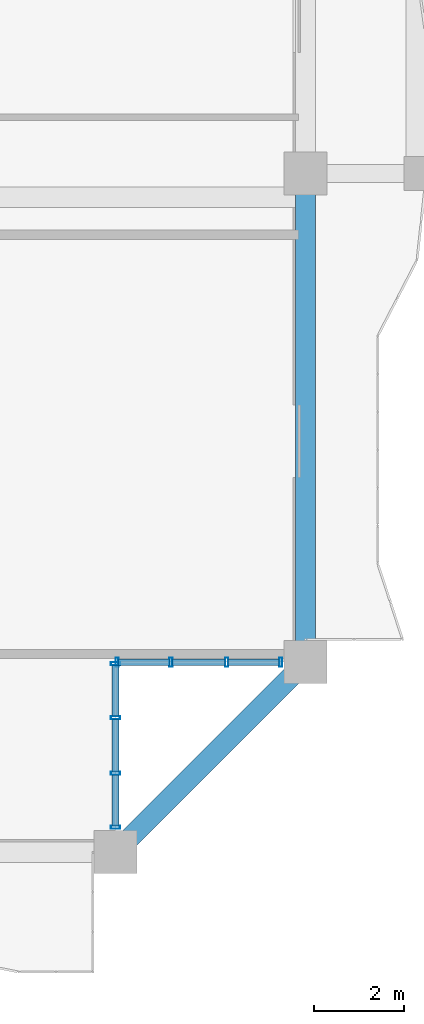
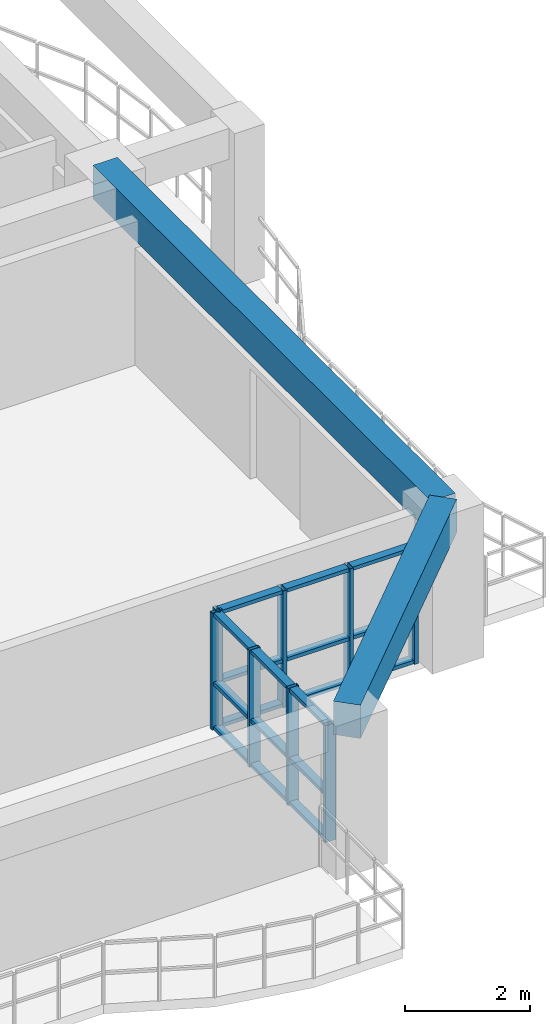
# One storey, part 4 of 24: 26 members, 2 beams, 2 elements without a shape of their own.
"""IFC4 building model written with IfcOpenShell, lengths in metres."""

from ifc_helpers import new_model, si_unit, direction, frame, origin, origin_2d, place, context, subcontext, project, spatial, rectangle, hollow_rectangle, extrude, source, transform, mapped, material, layer, layer_set, material_profile, profile_set, type_object, element, aggregate, save


model = new_model("IFC4")

# Units and contexts
model_context = context("Model", 3, precision=1e-05, world=origin(), true_north=direction((0.0, 1.0)))
body_context = subcontext(model_context, "Body", "Model", "MODEL_VIEW")
ifc_project = project(units=[si_unit("LENGTHUNIT", "METRE"), si_unit("AREAUNIT", "SQUARE_METRE"), si_unit("VOLUMEUNIT", "CUBIC_METRE"), si_unit("PLANEANGLEUNIT", "RADIAN"), si_unit("MASSUNIT", "GRAM", prefix="KILO")], contexts=[model_context])

# Site, building, storey
site_placement = place(None, origin())
site = spatial("IfcSite", under=ifc_project, at=site_placement, CompositionType="ELEMENT")
building_placement = place(site_placement, origin())
building = spatial("IfcBuilding", under=site, at=building_placement, Name="Saelheon Loggia Tower", CompositionType="ELEMENT")
storey_placement = place(building_placement, frame((0.0, 0.0, 126.75)))
storey = spatial("IfcBuildingStorey", under=building, at=storey_placement, Name="L40", CompositionType="ELEMENT", Elevation=126.75)

# Beams
ifc_material_1 = material(Name="Concrete C40/50", Category="concrete")
ifc_material_profile_1 = material_profile(ifc_material_1, rectangle(XDim=0.449951171875, YDim=0.64990234375, at=origin_2d()), Name="RC-450x650")
ifc_profile_set_1 = profile_set([ifc_material_profile_1], Name="Concrete C40/50")
beam_type = type_object("IfcBeamType", Name="Beam_PerimTower_RC450x650", PredefinedType="BEAM", material=ifc_profile_set_1)
shared_shape_1 = source(origin(), body_context, "Body", "SweptSolid", [
    extrude(rectangle(XDim=0.449951171875, YDim=0.64990234375, at=origin_2d()), origin(), (0.0, 0.0, 1.0), 5.939697265625),
])
beam_1_placement = place(storey_placement, frame((59.800048828125, 3.0, 2.675048828125), z_axis=(0.707106781187, 0.707106781187, 0.0), x_axis=(-0.707106781187, 0.707106781187, 0.0)))
element("IfcBeam", 1, at=beam_1_placement, inside=storey, type_object=beam_type, Name="L40 Perimeter Frame Girder 04", PredefinedType="BEAM", context=body_context, shape_type="MappedRepresentation", body=[
    mapped(shared_shape_1, transform((0.0, 0.0, 0.0), scale=1.0)),
])
shared_shape_2 = source(origin(), body_context, "Body", "SweptSolid", [
    extrude(rectangle(XDim=0.449951171875, YDim=0.64990234375, at=origin_2d()), origin(), (0.0, 0.0, 1.0), 10.800048828125),
])
beam_2_placement = place(storey_placement, frame((64.0, 7.199951171875, 2.675048828125), z_axis=(0.0, 1.0, 0.0), x_axis=(-1.0, 0.0, 0.0)))
element("IfcBeam", 2, at=beam_2_placement, inside=storey, type_object=beam_type, Name="L40 Perimeter Frame Girder 05", PredefinedType="BEAM", context=body_context, shape_type="MappedRepresentation", body=[
    mapped(shared_shape_2, transform((0.0, 0.0, 0.0), scale=1.0)),
])

# Curtain wall, members
ifc_material_2 = material(Name="High-Wind Aluminium and Triple Laminated Glass", Category="aluminium")
ifc_layer = layer(ifc_material_2, 0.179931640625)
ifc_layer_set = layer_set([ifc_layer], Name="High-Wind Aluminium and Triple Laminated Glass")
curtain_wall_type = type_object("IfcCurtainWallType", Name="CW_TowerLoggiaHigh", PredefinedType="NOTDEFINED", material=ifc_layer_set)
curtain_wall_1_placement = place(storey_placement, origin())
curtain_wall_1 = element("IfcCurtainWall", 3, at=curtain_wall_1_placement, inside=storey, type_object=curtain_wall_type, Name="L40 Corner Notch Glazing SE1", PredefinedType="NOTDEFINED")
ifc_material_3 = material(Name="Anodised Aluminium 6063-T6", Category="aluminium")
ifc_material_profile_2 = material_profile(ifc_material_3, hollow_rectangle(XDim=0.070068359375, YDim=0.199951171875, WallThickness=0.0048828125, at=origin_2d()), Name="RHS-200x70x5")
ifc_profile_set_2 = profile_set([ifc_material_profile_2], Name="Anodised Aluminium 6063-T6")
member_type_1 = type_object("IfcMemberType", Name="CW_TowerLoggiaHigh_Mullion", PredefinedType="MULLION", material=ifc_profile_set_2)
shared_shape_3 = source(origin(), body_context, "Body", "SweptSolid", [
    extrude(hollow_rectangle(XDim=0.070068359375, YDim=0.199951171875, WallThickness=0.0048828125, at=origin_2d()), origin(), (0.0, 0.0, 1.0), 2.280029296875),
])
member_1_placement = place(storey_placement, frame((59.800048828125, 3.550048828125, 0.0), z_axis=(0.0, 0.0, 1.0), x_axis=(0.0, 1.0, 0.0)))
member_1 = element("IfcMember", 4, at=member_1_placement, type_object=member_type_1, Name="CW4 mullion 1", PredefinedType="MULLION", context=body_context, shape_type="MappedRepresentation", body=[
    mapped(shared_shape_3, transform((0.0, 0.0, 0.0), scale=1.0)),
])
member_2_placement = place(storey_placement, frame((59.800048828125, 4.743408203125, 0.0), z_axis=(0.0, 0.0, 1.0), x_axis=(0.0, 1.0, 0.0)))
member_2 = element("IfcMember", 5, at=member_2_placement, type_object=member_type_1, Name="CW4 mullion 2", PredefinedType="MULLION", context=body_context, shape_type="MappedRepresentation", body=[
    mapped(shared_shape_3, transform((0.0, 0.0, 0.0), scale=1.0)),
])
member_3_placement = place(storey_placement, frame((59.800048828125, 5.9716796875, 0.0), z_axis=(0.0, 0.0, 1.0), x_axis=(0.0, 1.0, 0.0)))
member_3 = element("IfcMember", 6, at=member_3_placement, type_object=member_type_1, Name="CW4 mullion 3", PredefinedType="MULLION", context=body_context, shape_type="MappedRepresentation", body=[
    mapped(shared_shape_3, transform((0.0, 0.0, 0.0), scale=1.0)),
])
member_4_placement = place(storey_placement, frame((59.800048828125, 7.1650390625, 0.0), z_axis=(0.0, 0.0, 1.0), x_axis=(0.0, 1.0, 0.0)))
member_4 = element("IfcMember", 7, at=member_4_placement, type_object=member_type_1, Name="CW4 mullion 4", PredefinedType="MULLION", context=body_context, shape_type="MappedRepresentation", body=[
    mapped(shared_shape_3, transform((0.0, 0.0, 0.0), scale=1.0)),
])

curtain_wall_2_placement = place(storey_placement, origin())
curtain_wall_2 = element("IfcCurtainWall", 8, at=curtain_wall_2_placement, inside=storey, type_object=curtain_wall_type, Name="L40 Corner Notch Glazing SE2", PredefinedType="NOTDEFINED")
member_5_placement = place(storey_placement, frame((59.8349609375, 7.199951171875, 0.0), z_axis=(0.0, 0.0, 1.0), x_axis=(1.0, 0.0, 0.0)))
member_5 = element("IfcMember", 9, at=member_5_placement, type_object=member_type_1, Name="CW4 mullion 1", PredefinedType="MULLION", context=body_context, shape_type="MappedRepresentation", body=[
    mapped(shared_shape_3, transform((0.0, 0.0, 0.0), scale=1.0)),
])
member_6_placement = place(storey_placement, frame((61.0283203125, 7.199951171875, 0.0), z_axis=(0.0, 0.0, 1.0), x_axis=(1.0, 0.0, 0.0)))
member_6 = element("IfcMember", 10, at=member_6_placement, type_object=member_type_1, Name="CW4 mullion 2", PredefinedType="MULLION", context=body_context, shape_type="MappedRepresentation", body=[
    mapped(shared_shape_3, transform((0.0, 0.0, 0.0), scale=1.0)),
])
member_7_placement = place(storey_placement, frame((62.256591796875, 7.199951171875, 0.0), z_axis=(0.0, 0.0, 1.0), x_axis=(1.0, 0.0, 0.0)))
member_7 = element("IfcMember", 11, at=member_7_placement, type_object=member_type_1, Name="CW4 mullion 3", PredefinedType="MULLION", context=body_context, shape_type="MappedRepresentation", body=[
    mapped(shared_shape_3, transform((0.0, 0.0, 0.0), scale=1.0)),
])
member_8_placement = place(storey_placement, frame((63.449951171875, 7.199951171875, 0.0), z_axis=(0.0, 0.0, 1.0), x_axis=(1.0, 0.0, 0.0)))
member_8 = element("IfcMember", 12, at=member_8_placement, type_object=member_type_1, Name="CW4 mullion 4", PredefinedType="MULLION", context=body_context, shape_type="MappedRepresentation", body=[
    mapped(shared_shape_3, transform((0.0, 0.0, 0.0), scale=1.0)),
])

# Member
ifc_material_profile_3 = material_profile(ifc_material_3, hollow_rectangle(XDim=0.070068359375, YDim=0.14990234375, WallThickness=0.0048828125, at=origin_2d()), Name="RHS-150x70x5")
ifc_profile_set_3 = profile_set([ifc_material_profile_3], Name="Anodised Aluminium 6063-T6")
member_type_2 = type_object("IfcMemberType", Name="CW_TowerLoggiaHigh_Transom", PredefinedType="USERDEFINED", material=ifc_profile_set_3)
shared_shape_4 = source(origin(), body_context, "Body", "SweptSolid", [
    extrude(hollow_rectangle(XDim=0.070068359375, YDim=0.14990234375, WallThickness=0.0048828125, at=origin_2d()), origin(), (0.0, 0.0, 1.0), 1.123291015625),
])
member_9_placement = place(storey_placement, frame((59.800048828125, 3.5849609375, 0.034912109375), z_axis=(0.0, 1.0, 0.0), x_axis=(0.0, 0.0, 1.0)))
member_9 = element("IfcMember", 13, at=member_9_placement, type_object=member_type_2, Name="CW4 transom 1.1", ObjectType="TRANSOM", PredefinedType="USERDEFINED", context=body_context, shape_type="MappedRepresentation", body=[
    mapped(shared_shape_4, transform((0.0, 0.0, 0.0), scale=1.0)),
])

member_10_placement = place(storey_placement, frame((59.800048828125, 3.5849609375, 0.89990234375), z_axis=(0.0, 1.0, 0.0), x_axis=(0.0, 0.0, 1.0)))
member_10 = element("IfcMember", 14, at=member_10_placement, type_object=member_type_2, Name="CW4 transom 1.2", ObjectType="TRANSOM", PredefinedType="USERDEFINED", context=body_context, shape_type="MappedRepresentation", body=[
    mapped(shared_shape_4, transform((0.0, 0.0, 0.0), scale=1.0)),
])

member_11_placement = place(storey_placement, frame((59.800048828125, 3.5849609375, 2.2451171875), z_axis=(0.0, 1.0, 0.0), x_axis=(0.0, 0.0, 1.0)))
member_11 = element("IfcMember", 15, at=member_11_placement, type_object=member_type_2, Name="CW4 transom 1.3", ObjectType="TRANSOM", PredefinedType="USERDEFINED", context=body_context, shape_type="MappedRepresentation", body=[
    mapped(shared_shape_4, transform((0.0, 0.0, 0.0), scale=1.0)),
])

member_12_placement = place(storey_placement, frame((59.800048828125, 6.006591796875, 0.034912109375), z_axis=(0.0, 1.0, 0.0), x_axis=(0.0, 0.0, 1.0)))
member_12 = element("IfcMember", 16, at=member_12_placement, type_object=member_type_2, Name="CW4 transom 3.1", ObjectType="TRANSOM", PredefinedType="USERDEFINED", context=body_context, shape_type="MappedRepresentation", body=[
    mapped(shared_shape_4, transform((0.0, 0.0, 0.0), scale=1.0)),
])

member_13_placement = place(storey_placement, frame((59.800048828125, 6.006591796875, 0.89990234375), z_axis=(0.0, 1.0, 0.0), x_axis=(0.0, 0.0, 1.0)))
member_13 = element("IfcMember", 17, at=member_13_placement, type_object=member_type_2, Name="CW4 transom 3.2", ObjectType="TRANSOM", PredefinedType="USERDEFINED", context=body_context, shape_type="MappedRepresentation", body=[
    mapped(shared_shape_4, transform((0.0, 0.0, 0.0), scale=1.0)),
])

member_14_placement = place(storey_placement, frame((59.800048828125, 6.006591796875, 2.2451171875), z_axis=(0.0, 1.0, 0.0), x_axis=(0.0, 0.0, 1.0)))
member_14 = element("IfcMember", 18, at=member_14_placement, type_object=member_type_2, Name="CW4 transom 3.3", ObjectType="TRANSOM", PredefinedType="USERDEFINED", context=body_context, shape_type="MappedRepresentation", body=[
    mapped(shared_shape_4, transform((0.0, 0.0, 0.0), scale=1.0)),
])

member_15_placement = place(storey_placement, frame((59.8701171875, 7.199951171875, 0.034912109375), z_axis=(1.0, 0.0, 0.0), x_axis=(0.0, 0.0, 1.0)))
member_15 = element("IfcMember", 19, at=member_15_placement, type_object=member_type_2, Name="CW4 transom 1.1", ObjectType="TRANSOM", PredefinedType="USERDEFINED", context=body_context, shape_type="MappedRepresentation", body=[
    mapped(shared_shape_4, transform((0.0, 0.0, 0.0), scale=1.0)),
])

member_16_placement = place(storey_placement, frame((59.8701171875, 7.199951171875, 0.89990234375), z_axis=(1.0, 0.0, 0.0), x_axis=(0.0, 0.0, 1.0)))
member_16 = element("IfcMember", 20, at=member_16_placement, type_object=member_type_2, Name="CW4 transom 1.2", ObjectType="TRANSOM", PredefinedType="USERDEFINED", context=body_context, shape_type="MappedRepresentation", body=[
    mapped(shared_shape_4, transform((0.0, 0.0, 0.0), scale=1.0)),
])

member_17_placement = place(storey_placement, frame((59.8701171875, 7.199951171875, 2.2451171875), z_axis=(1.0, 0.0, 0.0), x_axis=(0.0, 0.0, 1.0)))
member_17 = element("IfcMember", 21, at=member_17_placement, type_object=member_type_2, Name="CW4 transom 1.3", ObjectType="TRANSOM", PredefinedType="USERDEFINED", context=body_context, shape_type="MappedRepresentation", body=[
    mapped(shared_shape_4, transform((0.0, 0.0, 0.0), scale=1.0)),
])

member_18_placement = place(storey_placement, frame((62.291748046875, 7.199951171875, 0.034912109375), z_axis=(1.0, 0.0, 0.0), x_axis=(0.0, 0.0, 1.0)))
member_18 = element("IfcMember", 22, at=member_18_placement, type_object=member_type_2, Name="CW4 transom 3.1", ObjectType="TRANSOM", PredefinedType="USERDEFINED", context=body_context, shape_type="MappedRepresentation", body=[
    mapped(shared_shape_4, transform((0.0, 0.0, 0.0), scale=1.0)),
])

member_19_placement = place(storey_placement, frame((62.291748046875, 7.199951171875, 0.89990234375), z_axis=(1.0, 0.0, 0.0), x_axis=(0.0, 0.0, 1.0)))
member_19 = element("IfcMember", 23, at=member_19_placement, type_object=member_type_2, Name="CW4 transom 3.2", ObjectType="TRANSOM", PredefinedType="USERDEFINED", context=body_context, shape_type="MappedRepresentation", body=[
    mapped(shared_shape_4, transform((0.0, 0.0, 0.0), scale=1.0)),
])

member_20_placement = place(storey_placement, frame((62.291748046875, 7.199951171875, 2.2451171875), z_axis=(1.0, 0.0, 0.0), x_axis=(0.0, 0.0, 1.0)))
member_20 = element("IfcMember", 24, at=member_20_placement, type_object=member_type_2, Name="CW4 transom 3.3", ObjectType="TRANSOM", PredefinedType="USERDEFINED", context=body_context, shape_type="MappedRepresentation", body=[
    mapped(shared_shape_4, transform((0.0, 0.0, 0.0), scale=1.0)),
])

shared_shape_5 = source(origin(), body_context, "Body", "SweptSolid", [
    extrude(hollow_rectangle(XDim=0.070068359375, YDim=0.14990234375, WallThickness=0.0048828125, at=origin_2d()), origin(), (0.0, 0.0, 1.0), 1.158447265625),
])
member_21_placement = place(storey_placement, frame((59.800048828125, 4.7783203125, 0.034912109375), z_axis=(0.0, 1.0, 0.0), x_axis=(0.0, 0.0, 1.0)))
member_21 = element("IfcMember", 25, at=member_21_placement, type_object=member_type_2, Name="CW4 transom 2.1", ObjectType="TRANSOM", PredefinedType="USERDEFINED", context=body_context, shape_type="MappedRepresentation", body=[
    mapped(shared_shape_5, transform((0.0, 0.0, 0.0), scale=1.0)),
])

member_22_placement = place(storey_placement, frame((59.800048828125, 4.7783203125, 0.89990234375), z_axis=(0.0, 1.0, 0.0), x_axis=(0.0, 0.0, 1.0)))
member_22 = element("IfcMember", 26, at=member_22_placement, type_object=member_type_2, Name="CW4 transom 2.2", ObjectType="TRANSOM", PredefinedType="USERDEFINED", context=body_context, shape_type="MappedRepresentation", body=[
    mapped(shared_shape_5, transform((0.0, 0.0, 0.0), scale=1.0)),
])

member_23_placement = place(storey_placement, frame((59.800048828125, 4.7783203125, 2.2451171875), z_axis=(0.0, 1.0, 0.0), x_axis=(0.0, 0.0, 1.0)))
member_23 = element("IfcMember", 27, at=member_23_placement, type_object=member_type_2, Name="CW4 transom 2.3", ObjectType="TRANSOM", PredefinedType="USERDEFINED", context=body_context, shape_type="MappedRepresentation", body=[
    mapped(shared_shape_5, transform((0.0, 0.0, 0.0), scale=1.0)),
])

aggregate(curtain_wall_1, [member_1, member_2, member_3, member_4, member_9, member_10, member_11, member_21, member_22, member_23, member_12, member_13, member_14])

member_24_placement = place(storey_placement, frame((61.063232421875, 7.199951171875, 0.034912109375), z_axis=(1.0, 0.0, 0.0), x_axis=(0.0, 0.0, 1.0)))
member_24 = element("IfcMember", 28, at=member_24_placement, type_object=member_type_2, Name="CW4 transom 2.1", ObjectType="TRANSOM", PredefinedType="USERDEFINED", context=body_context, shape_type="MappedRepresentation", body=[
    mapped(shared_shape_5, transform((0.0, 0.0, 0.0), scale=1.0)),
])

member_25_placement = place(storey_placement, frame((61.063232421875, 7.199951171875, 0.89990234375), z_axis=(1.0, 0.0, 0.0), x_axis=(0.0, 0.0, 1.0)))
member_25 = element("IfcMember", 29, at=member_25_placement, type_object=member_type_2, Name="CW4 transom 2.2", ObjectType="TRANSOM", PredefinedType="USERDEFINED", context=body_context, shape_type="MappedRepresentation", body=[
    mapped(shared_shape_5, transform((0.0, 0.0, 0.0), scale=1.0)),
])

member_26_placement = place(storey_placement, frame((61.063232421875, 7.199951171875, 2.2451171875), z_axis=(1.0, 0.0, 0.0), x_axis=(0.0, 0.0, 1.0)))
member_26 = element("IfcMember", 30, at=member_26_placement, type_object=member_type_2, Name="CW4 transom 2.3", ObjectType="TRANSOM", PredefinedType="USERDEFINED", context=body_context, shape_type="MappedRepresentation", body=[
    mapped(shared_shape_5, transform((0.0, 0.0, 0.0), scale=1.0)),
])

aggregate(curtain_wall_2, [member_5, member_6, member_7, member_8, member_15, member_16, member_17, member_24, member_25, member_26, member_18, member_19, member_20])

save(model, "model.ifc")
